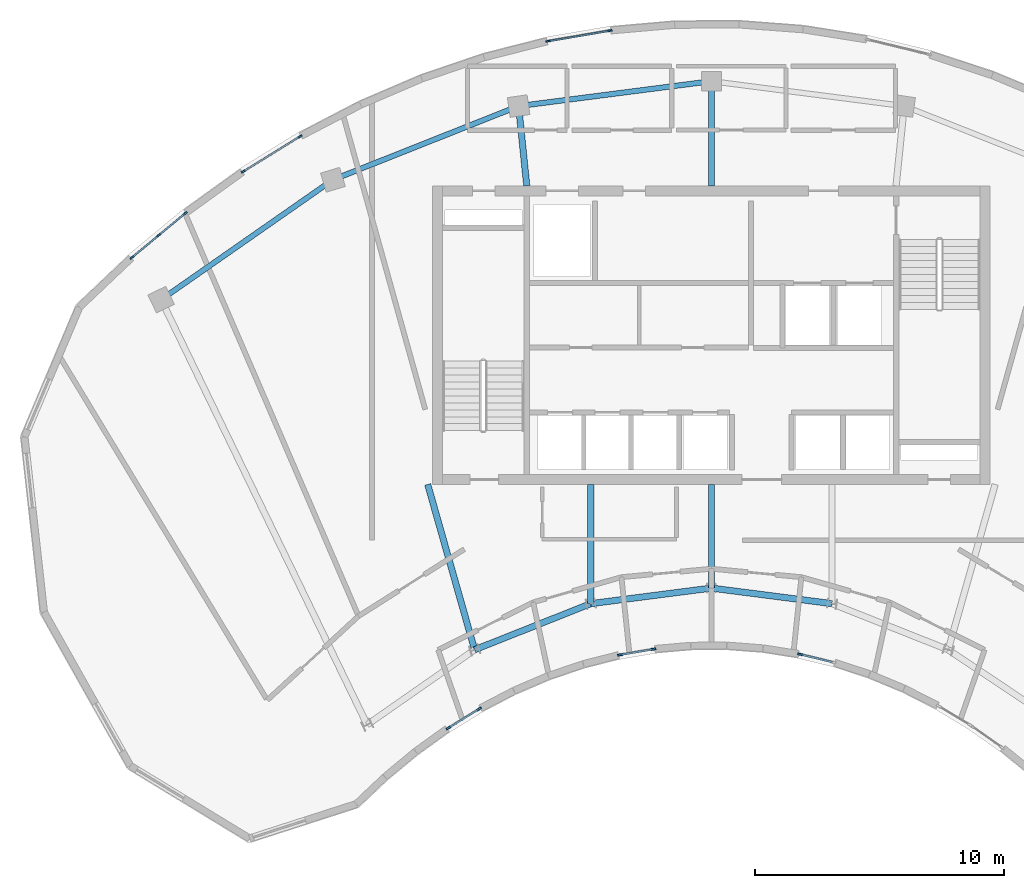
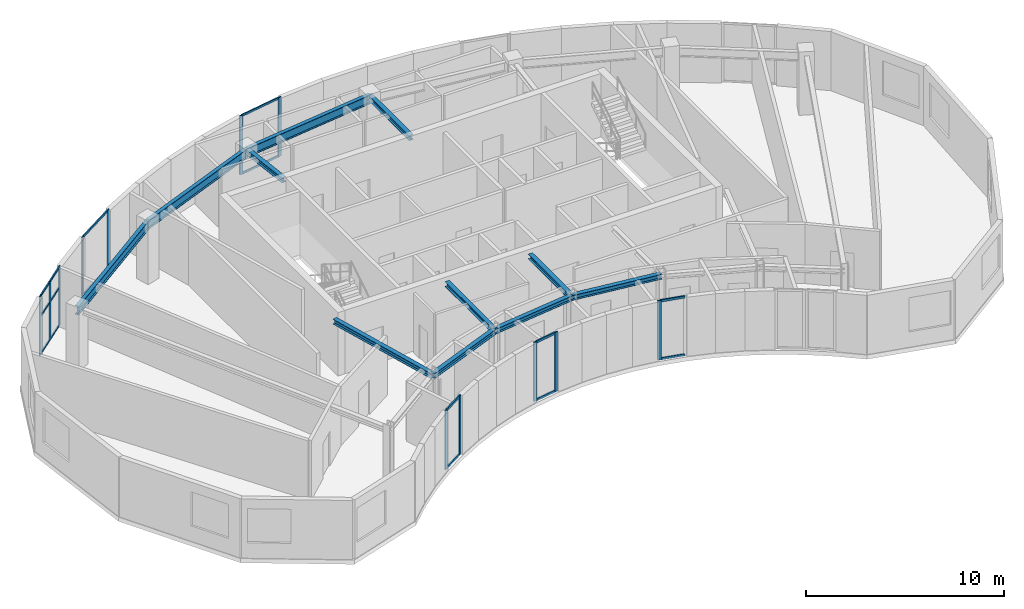
# One storey, part 2 of 9: 28 members, 11 beams, 6 elements without a shape of their own.
"""IFC4 building model written with IfcOpenShell, lengths in metres."""

from ifc_helpers import new_model, si_unit, direction, frame, origin, origin_2d, place, context, subcontext, project, spatial, rectangle, i_section, extrude, source, transform, mapped, material, layer, layer_set, material_profile, profile_set, type_object, element, aggregate, save


model = new_model("IFC4")

# Units and contexts
model_context = context("Model", 3, precision=1e-05, world=origin(), true_north=direction((0.0, 1.0)))
body_context = subcontext(model_context, "Body", "Model", "MODEL_VIEW")
ifc_project = project(units=[si_unit("LENGTHUNIT", "METRE"), si_unit("AREAUNIT", "SQUARE_METRE"), si_unit("VOLUMEUNIT", "CUBIC_METRE"), si_unit("PLANEANGLEUNIT", "RADIAN"), si_unit("MASSUNIT", "GRAM", prefix="KILO")], contexts=[model_context])

# Site, building, storey
site_placement = place(None, origin())
site = spatial("IfcSite", under=ifc_project, at=site_placement, CompositionType="ELEMENT")
building_placement = place(site_placement, origin())
building = spatial("IfcBuilding", under=site, at=building_placement, Name="Breltana Convention Tower", CompositionType="ELEMENT")
storey_placement = place(building_placement, frame((0.0, 0.0, 279.60009765625)))
storey = spatial("IfcBuildingStorey", under=building, at=storey_placement, Name="L68", CompositionType="ELEMENT", Elevation=279.60009765625)

# Beams
ifc_material_1 = material(Name="Steel ASTM A992 Grade 50", Category="steel")
ifc_material_profile_1 = material_profile(ifc_material_1, i_section(OverallWidth=0.214111328125, OverallDepth=0.549072265625, WebThickness=0.0146484375, FlangeThickness=0.023681640625, at=origin_2d()), Name="W21X93")
ifc_profile_set_1 = profile_set([ifc_material_profile_1], Name="Steel ASTM A992 Grade 50")
beam_type_1 = type_object("IfcBeamType", Name="BM-SP-W21X93", PredefinedType="SPANDREL", material=ifc_profile_set_1)
shared_shape_1 = source(origin(), body_context, "Body", "SweptSolid", [
    extrude(i_section(OverallWidth=0.214111328125, OverallDepth=0.549072265625, WebThickness=0.0146484375, FlangeThickness=0.023681640625, at=origin_2d()), origin(), (0.0, 0.0, 1.0), 8.4169921875),
])
beam_1_placement = place(storey_placement, frame((25.8876953125, 67.626953125, 3.365478515625), z_axis=(0.820173800102, 0.572114444519, 0.0), x_axis=(-0.572114444519, 0.820173800102, 0.0)))
element("IfcBeam", 1, at=beam_1_placement, inside=storey, type_object=beam_type_1, Name="L68 Outer Spandrel Beam 03", PredefinedType="SPANDREL", context=body_context, shape_type="MappedRepresentation", body=[
    mapped(shared_shape_1, transform((0.0, 0.0, 0.0), scale=1.0)),
])
shared_shape_2 = source(origin(), body_context, "Body", "SweptSolid", [
    extrude(i_section(OverallWidth=0.214111328125, OverallDepth=0.549072265625, WebThickness=0.0146484375, FlangeThickness=0.023681640625, at=origin_2d()), origin(), (0.0, 0.0, 1.0), 8.028564453125),
])
beam_2_placement = place(storey_placement, frame((32.791015625, 72.4423828125, 3.365478515625), z_axis=(0.929459100394, 0.368925169507, 0.0), x_axis=(-0.368925169507, 0.929459100394, 0.0)))
element("IfcBeam", 2, at=beam_2_placement, inside=storey, type_object=beam_type_1, Name="L68 Outer Spandrel Beam 04", PredefinedType="SPANDREL", context=body_context, shape_type="MappedRepresentation", body=[
    mapped(shared_shape_2, transform((0.0, 0.0, 0.0), scale=1.0)),
])
shared_shape_3 = source(origin(), body_context, "Body", "SweptSolid", [
    extrude(i_section(OverallWidth=0.214111328125, OverallDepth=0.549072265625, WebThickness=0.0146484375, FlangeThickness=0.023681640625, at=origin_2d()), origin(), (0.0, 0.0, 1.0), 7.81103515625),
])
beam_3_placement = place(storey_placement, frame((40.253173828125, 75.404296875, 3.365478515625), z_axis=(0.991775179127, 0.127992164083, 0.0), x_axis=(-0.127992164083, 0.991775179127, 0.0)))
element("IfcBeam", 3, at=beam_3_placement, inside=storey, type_object=beam_type_1, Name="L68 Outer Spandrel Beam 05", PredefinedType="SPANDREL", context=body_context, shape_type="MappedRepresentation", body=[
    mapped(shared_shape_3, transform((0.0, 0.0, 0.0), scale=1.0)),
])
ifc_material_profile_2 = material_profile(ifc_material_1, i_section(OverallWidth=0.25390625, OverallDepth=0.305908203125, WebThickness=0.0087890625, FlangeThickness=0.0146484375, at=origin_2d()), Name="W12X53")
ifc_profile_set_2 = profile_set([ifc_material_profile_2], Name="Steel ASTM A992 Grade 50")
beam_type_2 = type_object("IfcBeamType", Name="BM-CN-W12X53", PredefinedType="BEAM", material=ifc_profile_set_2)
shared_shape_4 = source(origin(), body_context, "Body", "SweptSolid", [
    extrude(i_section(OverallWidth=0.25390625, OverallDepth=0.305908203125, WebThickness=0.0087890625, FlangeThickness=0.0146484375, at=origin_2d()), origin(), (0.0, 0.0, 1.0), 6.904541015625),
])
beam_4_placement = place(storey_placement, frame((36.60009765625, 60.199951171875, 3.48681640625), z_axis=(0.273006781054, -0.962012108811, 0.0), x_axis=(0.962012108811, 0.273006781054, 0.0)))
element("IfcBeam", 4, at=beam_4_placement, inside=storey, type_object=beam_type_2, Name="L68 South Core Tie Girder R04", PredefinedType="BEAM", context=body_context, shape_type="MappedRepresentation", body=[
    mapped(shared_shape_4, transform((0.0, 0.0, 0.0), scale=1.0)),
])
shared_shape_5 = source(origin(), body_context, "Body", "SweptSolid", [
    extrude(i_section(OverallWidth=0.25390625, OverallDepth=0.305908203125, WebThickness=0.0087890625, FlangeThickness=0.0146484375, at=origin_2d()), origin(), (0.0, 0.0, 1.0), 4.789306640625),
])
beam_5_placement = place(storey_placement, frame((43.153564453125, 60.199951171875, 3.48681640625), z_axis=(0.0, -1.0, 0.0), x_axis=(1.0, 0.0, 0.0)))
element("IfcBeam", 5, at=beam_5_placement, inside=storey, type_object=beam_type_2, Name="L68 South Core Tie Girder R05", PredefinedType="BEAM", context=body_context, shape_type="MappedRepresentation", body=[
    mapped(shared_shape_5, transform((0.0, 0.0, 0.0), scale=1.0)),
])
shared_shape_6 = source(origin(), body_context, "Body", "SweptSolid", [
    extrude(i_section(OverallWidth=0.25390625, OverallDepth=0.305908203125, WebThickness=0.0087890625, FlangeThickness=0.0146484375, at=origin_2d()), origin(), (0.0, 0.0, 1.0), 3.220947265625),
])
beam_6_placement = place(storey_placement, frame((40.580078125, 72.199951171875, 3.48681640625), z_axis=(-0.101492254858, 0.994836329355, 0.0), x_axis=(-0.994836329355, -0.101492254858, 0.0)))
element("IfcBeam", 6, at=beam_6_placement, inside=storey, type_object=beam_type_2, Name="L68 North Core Radial Girder R05", PredefinedType="BEAM", context=body_context, shape_type="MappedRepresentation", body=[
    mapped(shared_shape_6, transform((0.0, 0.0, 0.0), scale=1.0)),
])
shared_shape_7 = source(origin(), body_context, "Body", "SweptSolid", [
    extrude(i_section(OverallWidth=0.25390625, OverallDepth=0.305908203125, WebThickness=0.0087890625, FlangeThickness=0.0146484375, at=origin_2d()), origin(), (0.0, 0.0, 1.0), 4.1640625),
])
beam_7_placement = place(storey_placement, frame((48.0, 60.199951171875, 3.48681640625), z_axis=(0.0, -1.0, 0.0), x_axis=(1.0, 0.0, 0.0)))
element("IfcBeam", 7, at=beam_7_placement, inside=storey, type_object=beam_type_2, Name="L68 South Core Tie Girder R06", PredefinedType="BEAM", context=body_context, shape_type="MappedRepresentation", body=[
    mapped(shared_shape_7, transform((0.0, 0.0, 0.0), scale=1.0)),
])
shared_shape_8 = source(origin(), body_context, "Body", "SweptSolid", [
    extrude(i_section(OverallWidth=0.25390625, OverallDepth=0.305908203125, WebThickness=0.0087890625, FlangeThickness=0.0146484375, at=origin_2d()), origin(), (0.0, 0.0, 1.0), 4.2041015625),
])
beam_8_placement = place(storey_placement, frame((48.0, 72.199951171875, 3.48681640625), z_axis=(0.0, 1.0, 0.0), x_axis=(-1.0, 0.0, 0.0)))
element("IfcBeam", 8, at=beam_8_placement, inside=storey, type_object=beam_type_2, Name="L68 North Core Radial Girder R06", PredefinedType="BEAM", context=body_context, shape_type="MappedRepresentation", body=[
    mapped(shared_shape_8, transform((0.0, 0.0, 0.0), scale=1.0)),
])
shared_shape_9 = source(origin(), body_context, "Body", "SweptSolid", [
    extrude(i_section(OverallWidth=0.25390625, OverallDepth=0.305908203125, WebThickness=0.0087890625, FlangeThickness=0.0146484375, at=origin_2d()), origin(), (0.0, 0.0, 1.0), 5.022705078125),
])
beam_9_placement = place(storey_placement, frame((38.485107421875, 53.5576171875, 3.48681640625), z_axis=(0.929458966248, 0.368925507469, 0.0), x_axis=(-0.368925507469, 0.929458966248, 0.0)))
element("IfcBeam", 9, at=beam_9_placement, inside=storey, type_object=beam_type_2, Name="L68 Inner Ring Beam 04", PredefinedType="BEAM", context=body_context, shape_type="MappedRepresentation", body=[
    mapped(shared_shape_9, transform((0.0, 0.0, 0.0), scale=1.0)),
])
shared_shape_10 = source(origin(), body_context, "Body", "SweptSolid", [
    extrude(i_section(OverallWidth=0.25390625, OverallDepth=0.305908203125, WebThickness=0.0087890625, FlangeThickness=0.0146484375, at=origin_2d()), origin(), (0.0, 0.0, 1.0), 4.88671875),
])
for number, where, z_axis, x_axis, name in (
    (10, (43.153564453125, 55.41064453125, 3.48681640625), (0.991780525565, 0.127950729231, 0.0), (-0.127950729231, 0.991780525565, 0.0), "L68 Inner Ring Beam 05"),
    (11, (48.0, 56.035888671875, 3.48681640625), (0.991780525565, -0.127950729231, 0.0), (0.127950729231, 0.991780525565, 0.0), "L68 Inner Ring Beam 06"),
):
    element("IfcBeam", number, at=place(storey_placement, frame(where, z_axis=z_axis, x_axis=x_axis)), inside=storey, type_object=beam_type_2, Name=name, PredefinedType="BEAM", context=body_context, shape_type="MappedRepresentation", body=[
        mapped(shared_shape_10, transform((0.0, 0.0, 0.0), scale=1.0)),
    ])

# Curtain wall, member
ifc_material_2 = material(Name="Aluminium Anodised Bronze Frame", Category="aluminium")
ifc_layer_1 = layer(ifc_material_2, 0.18994140625, Name="Aluminium Anodised Bronze Frame")
ifc_layer_set_1 = layer_set([ifc_layer_1], Name="Aluminium Anodised Bronze Frame")
curtain_wall_type_1 = type_object("IfcCurtainWallType", Name="CW-SYS-1", PredefinedType="NOTDEFINED", material=ifc_layer_set_1)
curtain_wall_1_placement = place(storey_placement, origin())
curtain_wall_1 = element("IfcCurtainWall", 12, at=curtain_wall_1_placement, inside=storey, type_object=curtain_wall_type_1, Name="L68 inner south-court glazing 3", PredefinedType="NOTDEFINED")
ifc_material_3 = material(Name="Aluminium Anodised Bronze", Category="aluminium")
ifc_material_profile_3 = material_profile(ifc_material_3, rectangle(XDim=0.080078125, YDim=0.199951171875, at=origin_2d()), Name="CWM-80X200")
ifc_profile_set_3 = profile_set([ifc_material_profile_3], Name="Aluminium Anodised Bronze")
member_type_1 = type_object("IfcMemberType", Name="CWM-200", PredefinedType="MULLION", material=ifc_profile_set_3)
shared_shape_11 = source(origin(), body_context, "Body", "SweptSolid", [
    extrude(rectangle(XDim=0.080078125, YDim=0.199951171875, at=origin_2d()), origin(), (0.0, 0.0, 1.0), 3.639892578125),
])
member_1_placement = place(storey_placement, frame((51.562255859375, 53.3759765625, 0.0), z_axis=(0.0, 0.0, 1.0), x_axis=(-0.235517485062, -0.97187011181, 0.0)))
member_1 = element("IfcMember", 13, at=member_1_placement, type_object=member_type_1, Name="CW-01 mullion 2", PredefinedType="MULLION", context=body_context, shape_type="MappedRepresentation", body=[
    mapped(shared_shape_11, transform((0.0, 0.0, 0.0), scale=1.0)),
])

# Curtain wall, members
curtain_wall_2_placement = place(storey_placement, origin())
curtain_wall_2 = element("IfcCurtainWall", 14, at=curtain_wall_2_placement, inside=storey, type_object=curtain_wall_type_1, Name="L68 inner south-court glazing 4", PredefinedType="NOTDEFINED")
member_2_placement = place(storey_placement, frame((45.673095703125, 53.582275390625, 0.0), z_axis=(0.0, 0.0, 1.0), x_axis=(0.168027922521, -0.985782236223, 0.0)))
member_2 = element("IfcMember", 15, at=member_2_placement, type_object=member_type_1, Name="CW-01 mullion 1", PredefinedType="MULLION", context=body_context, shape_type="MappedRepresentation", body=[
    mapped(shared_shape_11, transform((0.0, 0.0, 0.0), scale=1.0)),
])
member_3_placement = place(storey_placement, frame((44.3251953125, 53.3525390625, 0.0), z_axis=(0.0, 0.0, 1.0), x_axis=(0.168027922521, -0.985782236223, 0.0)))
member_3 = element("IfcMember", 16, at=member_3_placement, type_object=member_type_1, Name="CW-01 mullion 2", PredefinedType="MULLION", context=body_context, shape_type="MappedRepresentation", body=[
    mapped(shared_shape_11, transform((0.0, 0.0, 0.0), scale=1.0)),
])

curtain_wall_3_placement = place(storey_placement, origin())
curtain_wall_3 = element("IfcCurtainWall", 17, at=curtain_wall_3_placement, inside=storey, type_object=curtain_wall_type_1, Name="L68 inner south-court glazing 5", PredefinedType="NOTDEFINED")
member_4_placement = place(storey_placement, frame((38.669677734375, 51.180419921875, 0.0), z_axis=(0.0, 0.0, 1.0), x_axis=(0.525571911271, -0.850749179302, 0.0)))
member_4 = element("IfcMember", 18, at=member_4_placement, type_object=member_type_1, Name="CW-01 mullion 1", PredefinedType="MULLION", context=body_context, shape_type="MappedRepresentation", body=[
    mapped(shared_shape_11, transform((0.0, 0.0, 0.0), scale=1.0)),
])
member_5_placement = place(storey_placement, frame((37.431396484375, 50.41552734375, 0.0), z_axis=(0.0, 0.0, 1.0), x_axis=(0.525571911271, -0.850749179302, 0.0)))
member_5 = element("IfcMember", 19, at=member_5_placement, type_object=member_type_1, Name="CW-01 mullion 2", PredefinedType="MULLION", context=body_context, shape_type="MappedRepresentation", body=[
    mapped(shared_shape_11, transform((0.0, 0.0, 0.0), scale=1.0)),
])

ifc_layer_2 = layer(ifc_material_2, 0.22998046875, Name="Aluminium Anodised Bronze Frame")
ifc_layer_set_2 = layer_set([ifc_layer_2], Name="Aluminium Anodised Bronze Frame")
curtain_wall_type_2 = type_object("IfcCurtainWallType", Name="CW-SYS-5", PredefinedType="NOTDEFINED", material=ifc_layer_set_2)
curtain_wall_4_placement = place(storey_placement, origin())
curtain_wall_4 = element("IfcCurtainWall", 20, at=curtain_wall_4_placement, inside=storey, type_object=curtain_wall_type_2, Name="L68 outer double-skin inner glazing 1", PredefinedType="NOTDEFINED")
ifc_material_profile_4 = material_profile(ifc_material_3, rectangle(XDim=0.070068359375, YDim=0.175048828125, at=origin_2d()), Name="CWM-70X175")
ifc_profile_set_4 = profile_set([ifc_material_profile_4], Name="Aluminium Anodised Bronze")
member_type_2 = type_object("IfcMemberType", Name="CWM-175", PredefinedType="MULLION", material=ifc_profile_set_4)
shared_shape_12 = source(origin(), body_context, "Body", "SweptSolid", [
    extrude(rectangle(XDim=0.070068359375, YDim=0.175048828125, at=origin_2d()), origin(), (0.0, 0.0, 1.0), 3.639892578125),
])
member_6_placement = place(storey_placement, frame((24.716796875, 69.321533203125, 0.0), z_axis=(0.0, 0.0, 1.0), x_axis=(-0.638320160979, 0.76977098678, 0.0)))
member_6 = element("IfcMember", 21, at=member_6_placement, type_object=member_type_2, Name="CW-05 mullion 1", PredefinedType="MULLION", context=body_context, shape_type="MappedRepresentation", body=[
    mapped(shared_shape_12, transform((0.0, 0.0, 0.0), scale=1.0)),
])
member_7_placement = place(storey_placement, frame((25.78759765625, 70.209228515625, 0.0), z_axis=(0.0, 0.0, 1.0), x_axis=(-0.638320160979, 0.76977098678, 0.0)))
member_7 = element("IfcMember", 22, at=member_7_placement, type_object=member_type_2, Name="CW-05 mullion 2", PredefinedType="MULLION", context=body_context, shape_type="MappedRepresentation", body=[
    mapped(shared_shape_12, transform((0.0, 0.0, 0.0), scale=1.0)),
])
member_8_placement = place(storey_placement, frame((26.858154296875, 71.09716796875, 0.0), z_axis=(0.0, 0.0, 1.0), x_axis=(-0.638320160979, 0.76977098678, 0.0)))
member_8 = element("IfcMember", 23, at=member_8_placement, type_object=member_type_2, Name="CW-05 mullion 3", PredefinedType="MULLION", context=body_context, shape_type="MappedRepresentation", body=[
    mapped(shared_shape_12, transform((0.0, 0.0, 0.0), scale=1.0)),
])

curtain_wall_5_placement = place(storey_placement, origin())
curtain_wall_5 = element("IfcCurtainWall", 24, at=curtain_wall_5_placement, inside=storey, type_object=curtain_wall_type_2, Name="L68 outer double-skin inner glazing 2", PredefinedType="NOTDEFINED")
member_9_placement = place(storey_placement, frame((29.188720703125, 72.775146484375, 0.0), z_axis=(0.0, 0.0, 1.0), x_axis=(-0.525540797325, 0.850768399946, 0.0)))
member_9 = element("IfcMember", 25, at=member_9_placement, type_object=member_type_2, Name="CW-05 mullion 1", PredefinedType="MULLION", context=body_context, shape_type="MappedRepresentation", body=[
    mapped(shared_shape_12, transform((0.0, 0.0, 0.0), scale=1.0)),
])
member_10_placement = place(storey_placement, frame((31.47265625, 74.18603515625, 0.0), z_axis=(0.0, 0.0, 1.0), x_axis=(-0.525540797325, 0.850768399946, 0.0)))
member_10 = element("IfcMember", 26, at=member_10_placement, type_object=member_type_2, Name="CW-05 mullion 2", PredefinedType="MULLION", context=body_context, shape_type="MappedRepresentation", body=[
    mapped(shared_shape_12, transform((0.0, 0.0, 0.0), scale=1.0)),
])

curtain_wall_6_placement = place(storey_placement, origin())
curtain_wall_6 = element("IfcCurtainWall", 27, at=curtain_wall_6_placement, inside=storey, type_object=curtain_wall_type_2, Name="L68 outer double-skin inner glazing 3", PredefinedType="NOTDEFINED")
member_11_placement = place(storey_placement, frame((41.431396484375, 78.012451171875, 0.0), z_axis=(0.0, 0.0, 1.0), x_axis=(-0.168016928095, 0.985784110175, 0.0)))
member_11 = element("IfcMember", 28, at=member_11_placement, type_object=member_type_2, Name="CW-05 mullion 1", PredefinedType="MULLION", context=body_context, shape_type="MappedRepresentation", body=[
    mapped(shared_shape_12, transform((0.0, 0.0, 0.0), scale=1.0)),
])
member_12_placement = place(storey_placement, frame((43.919677734375, 78.4365234375, 0.0), z_axis=(0.0, 0.0, 1.0), x_axis=(-0.168016928095, 0.985784110175, 0.0)))
member_12 = element("IfcMember", 29, at=member_12_placement, type_object=member_type_2, Name="CW-05 mullion 2", PredefinedType="MULLION", context=body_context, shape_type="MappedRepresentation", body=[
    mapped(shared_shape_12, transform((0.0, 0.0, 0.0), scale=1.0)),
])

# Member
ifc_material_profile_5 = material_profile(ifc_material_3, rectangle(XDim=0.080078125, YDim=0.139892578125, at=origin_2d()), Name="CWT-80X140")
ifc_profile_set_5 = profile_set([ifc_material_profile_5], Name="Aluminium Anodised Bronze")
member_type_3 = type_object("IfcMemberType", Name="CWT-140", PredefinedType="USERDEFINED", material=ifc_profile_set_5)
shared_shape_13 = source(origin(), body_context, "Body", "SweptSolid", [
    extrude(rectangle(XDim=0.080078125, YDim=0.139892578125, at=origin_2d()), origin(), (0.0, 0.0, 1.0), 1.296142578125),
])
member_13_placement = place(storey_placement, frame((52.86083984375, 53.06103515625, 0.039794921875), z_axis=(-0.97184618516, 0.235616197216, 0.0), x_axis=(-0.235616197216, -0.97184618516, 0.0)))
member_13 = element("IfcMember", 30, at=member_13_placement, type_object=member_type_3, Name="CW-01 transom 1.1", ObjectType="TRANSOM", PredefinedType="USERDEFINED", context=body_context, shape_type="MappedRepresentation", body=[
    mapped(shared_shape_13, transform((0.0, 0.0, 0.0), scale=1.0)),
])

member_14_placement = place(storey_placement, frame((52.86083984375, 53.06103515625, 3.599853515625), z_axis=(-0.97184618516, 0.235616197216, 0.0), x_axis=(-0.235616197216, -0.97184618516, 0.0)))
member_14 = element("IfcMember", 31, at=member_14_placement, type_object=member_type_3, Name="CW-01 transom 1.2", ObjectType="TRANSOM", PredefinedType="USERDEFINED", context=body_context, shape_type="MappedRepresentation", body=[
    mapped(shared_shape_13, transform((0.0, 0.0, 0.0), scale=1.0)),
])

aggregate(curtain_wall_1, [member_1, member_13, member_14])

shared_shape_14 = source(origin(), body_context, "Body", "SweptSolid", [
    extrude(rectangle(XDim=0.080078125, YDim=0.139892578125, at=origin_2d()), origin(), (0.0, 0.0, 1.0), 1.287353515625),
])
member_15_placement = place(storey_placement, frame((45.6337890625, 53.57568359375, 0.039794921875), z_axis=(-0.985782429966, -0.16802678587, 0.0), x_axis=(0.16802678587, -0.985782429966, 0.0)))
member_15 = element("IfcMember", 32, at=member_15_placement, type_object=member_type_3, Name="CW-01 transom 1.1", ObjectType="TRANSOM", PredefinedType="USERDEFINED", context=body_context, shape_type="MappedRepresentation", body=[
    mapped(shared_shape_14, transform((0.0, 0.0, 0.0), scale=1.0)),
])

member_16_placement = place(storey_placement, frame((45.6337890625, 53.57568359375, 3.599853515625), z_axis=(-0.985782429966, -0.16802678587, 0.0), x_axis=(0.16802678587, -0.985782429966, 0.0)))
member_16 = element("IfcMember", 33, at=member_16_placement, type_object=member_type_3, Name="CW-01 transom 1.2", ObjectType="TRANSOM", PredefinedType="USERDEFINED", context=body_context, shape_type="MappedRepresentation", body=[
    mapped(shared_shape_14, transform((0.0, 0.0, 0.0), scale=1.0)),
])

aggregate(curtain_wall_2, [member_2, member_3, member_15, member_16])

shared_shape_15 = source(origin(), body_context, "Body", "SweptSolid", [
    extrude(rectangle(XDim=0.080078125, YDim=0.139892578125, at=origin_2d()), origin(), (0.0, 0.0, 1.0), 1.37548828125),
])
member_17_placement = place(storey_placement, frame((38.6357421875, 51.159423828125, 0.039794921875), z_axis=(-0.850748978808, -0.525572235813, 0.0), x_axis=(0.525572235813, -0.850748978808, 0.0)))
member_17 = element("IfcMember", 34, at=member_17_placement, type_object=member_type_3, Name="CW-01 transom 1.1", ObjectType="TRANSOM", PredefinedType="USERDEFINED", context=body_context, shape_type="MappedRepresentation", body=[
    mapped(shared_shape_15, transform((0.0, 0.0, 0.0), scale=1.0)),
])

member_18_placement = place(storey_placement, frame((38.6357421875, 51.159423828125, 3.599853515625), z_axis=(-0.850748978808, -0.525572235813, 0.0), x_axis=(0.525572235813, -0.850748978808, 0.0)))
member_18 = element("IfcMember", 35, at=member_18_placement, type_object=member_type_3, Name="CW-01 transom 1.2", ObjectType="TRANSOM", PredefinedType="USERDEFINED", context=body_context, shape_type="MappedRepresentation", body=[
    mapped(shared_shape_15, transform((0.0, 0.0, 0.0), scale=1.0)),
])

aggregate(curtain_wall_3, [member_4, member_5, member_17, member_18])

ifc_material_profile_6 = material_profile(ifc_material_3, rectangle(XDim=0.070068359375, YDim=0.1201171875, at=origin_2d()), Name="CWT-70X120")
ifc_profile_set_6 = profile_set([ifc_material_profile_6], Name="Aluminium Anodised Bronze")
member_type_4 = type_object("IfcMemberType", Name="CWT-120", PredefinedType="USERDEFINED", material=ifc_profile_set_6)
shared_shape_16 = source(origin(), body_context, "Body", "SweptSolid", [
    extrude(rectangle(XDim=0.070068359375, YDim=0.1201171875, at=origin_2d()), origin(), (0.0, 0.0, 1.0), 2.454345703125),
])
member_19_placement = place(storey_placement, frame((41.4658203125, 78.018310546875, 0.034912109375), z_axis=(0.985785086136, 0.168011201865, 0.0), x_axis=(-0.168011201865, 0.985785086136, 0.0)))
member_19 = element("IfcMember", 36, at=member_19_placement, type_object=member_type_4, Name="CW-05 transom 1.1", ObjectType="TRANSOM", PredefinedType="USERDEFINED", context=body_context, shape_type="MappedRepresentation", body=[
    mapped(shared_shape_16, transform((0.0, 0.0, 0.0), scale=1.0)),
])

member_20_placement = place(storey_placement, frame((41.4658203125, 78.018310546875, 3.60498046875), z_axis=(0.985785086136, 0.168011201865, 0.0), x_axis=(-0.168011201865, 0.985785086136, 0.0)))
member_20 = element("IfcMember", 37, at=member_20_placement, type_object=member_type_4, Name="CW-05 transom 1.2", ObjectType="TRANSOM", PredefinedType="USERDEFINED", context=body_context, shape_type="MappedRepresentation", body=[
    mapped(shared_shape_16, transform((0.0, 0.0, 0.0), scale=1.0)),
])

aggregate(curtain_wall_6, [member_11, member_12, member_19, member_20])

shared_shape_17 = source(origin(), body_context, "Body", "SweptSolid", [
    extrude(rectangle(XDim=0.070068359375, YDim=0.1201171875, at=origin_2d()), origin(), (0.0, 0.0, 1.0), 1.321044921875),
])
member_21_placement = place(storey_placement, frame((24.74365234375, 69.34375, 0.034912109375), z_axis=(0.769749100727, 0.63834655316, 0.0), x_axis=(-0.63834655316, 0.769749100727, 0.0)))
member_21 = element("IfcMember", 38, at=member_21_placement, type_object=member_type_4, Name="CW-05 transom 1.1", ObjectType="TRANSOM", PredefinedType="USERDEFINED", context=body_context, shape_type="MappedRepresentation", body=[
    mapped(shared_shape_17, transform((0.0, 0.0, 0.0), scale=1.0)),
])

member_22_placement = place(storey_placement, frame((24.74365234375, 69.34375, 2.365966796875), z_axis=(0.769749100727, 0.63834655316, 0.0), x_axis=(-0.63834655316, 0.769749100727, 0.0)))
member_22 = element("IfcMember", 39, at=member_22_placement, type_object=member_type_4, Name="CW-05 transom 1.2", ObjectType="TRANSOM", PredefinedType="USERDEFINED", context=body_context, shape_type="MappedRepresentation", body=[
    mapped(shared_shape_17, transform((0.0, 0.0, 0.0), scale=1.0)),
])

member_23_placement = place(storey_placement, frame((24.74365234375, 69.34375, 3.60498046875), z_axis=(0.769749100727, 0.63834655316, 0.0), x_axis=(-0.63834655316, 0.769749100727, 0.0)))
member_23 = element("IfcMember", 40, at=member_23_placement, type_object=member_type_4, Name="CW-05 transom 1.3", ObjectType="TRANSOM", PredefinedType="USERDEFINED", context=body_context, shape_type="MappedRepresentation", body=[
    mapped(shared_shape_17, transform((0.0, 0.0, 0.0), scale=1.0)),
])

member_24_placement = place(storey_placement, frame((25.814453125, 70.231689453125, 0.034912109375), z_axis=(0.769749100727, 0.63834655316, 0.0), x_axis=(-0.63834655316, 0.769749100727, 0.0)))
member_24 = element("IfcMember", 41, at=member_24_placement, type_object=member_type_4, Name="CW-05 transom 2.1", ObjectType="TRANSOM", PredefinedType="USERDEFINED", context=body_context, shape_type="MappedRepresentation", body=[
    mapped(shared_shape_17, transform((0.0, 0.0, 0.0), scale=1.0)),
])

member_25_placement = place(storey_placement, frame((25.814453125, 70.231689453125, 2.365966796875), z_axis=(0.769749100727, 0.63834655316, 0.0), x_axis=(-0.63834655316, 0.769749100727, 0.0)))
member_25 = element("IfcMember", 42, at=member_25_placement, type_object=member_type_4, Name="CW-05 transom 2.2", ObjectType="TRANSOM", PredefinedType="USERDEFINED", context=body_context, shape_type="MappedRepresentation", body=[
    mapped(shared_shape_17, transform((0.0, 0.0, 0.0), scale=1.0)),
])

member_26_placement = place(storey_placement, frame((25.814453125, 70.231689453125, 3.60498046875), z_axis=(0.769749100727, 0.63834655316, 0.0), x_axis=(-0.63834655316, 0.769749100727, 0.0)))
member_26 = element("IfcMember", 43, at=member_26_placement, type_object=member_type_4, Name="CW-05 transom 2.3", ObjectType="TRANSOM", PredefinedType="USERDEFINED", context=body_context, shape_type="MappedRepresentation", body=[
    mapped(shared_shape_17, transform((0.0, 0.0, 0.0), scale=1.0)),
])

aggregate(curtain_wall_4, [member_6, member_7, member_8, member_21, member_22, member_23, member_24, member_25, member_26])

shared_shape_18 = source(origin(), body_context, "Body", "SweptSolid", [
    extrude(rectangle(XDim=0.070068359375, YDim=0.1201171875, at=origin_2d()), origin(), (0.0, 0.0, 1.0), 2.614501953125),
])
member_27_placement = place(storey_placement, frame((29.218505859375, 72.793701171875, 0.034912109375), z_axis=(0.850772210516, 0.525534628557, 0.0), x_axis=(-0.525534628557, 0.850772210516, 0.0)))
member_27 = element("IfcMember", 44, at=member_27_placement, type_object=member_type_4, Name="CW-05 transom 1.1", ObjectType="TRANSOM", PredefinedType="USERDEFINED", context=body_context, shape_type="MappedRepresentation", body=[
    mapped(shared_shape_18, transform((0.0, 0.0, 0.0), scale=1.0)),
])

member_28_placement = place(storey_placement, frame((29.218505859375, 72.793701171875, 3.60498046875), z_axis=(0.850772210516, 0.525534628557, 0.0), x_axis=(-0.525534628557, 0.850772210516, 0.0)))
member_28 = element("IfcMember", 45, at=member_28_placement, type_object=member_type_4, Name="CW-05 transom 1.2", ObjectType="TRANSOM", PredefinedType="USERDEFINED", context=body_context, shape_type="MappedRepresentation", body=[
    mapped(shared_shape_18, transform((0.0, 0.0, 0.0), scale=1.0)),
])

aggregate(curtain_wall_5, [member_9, member_10, member_27, member_28])

save(model, "model.ifc")
